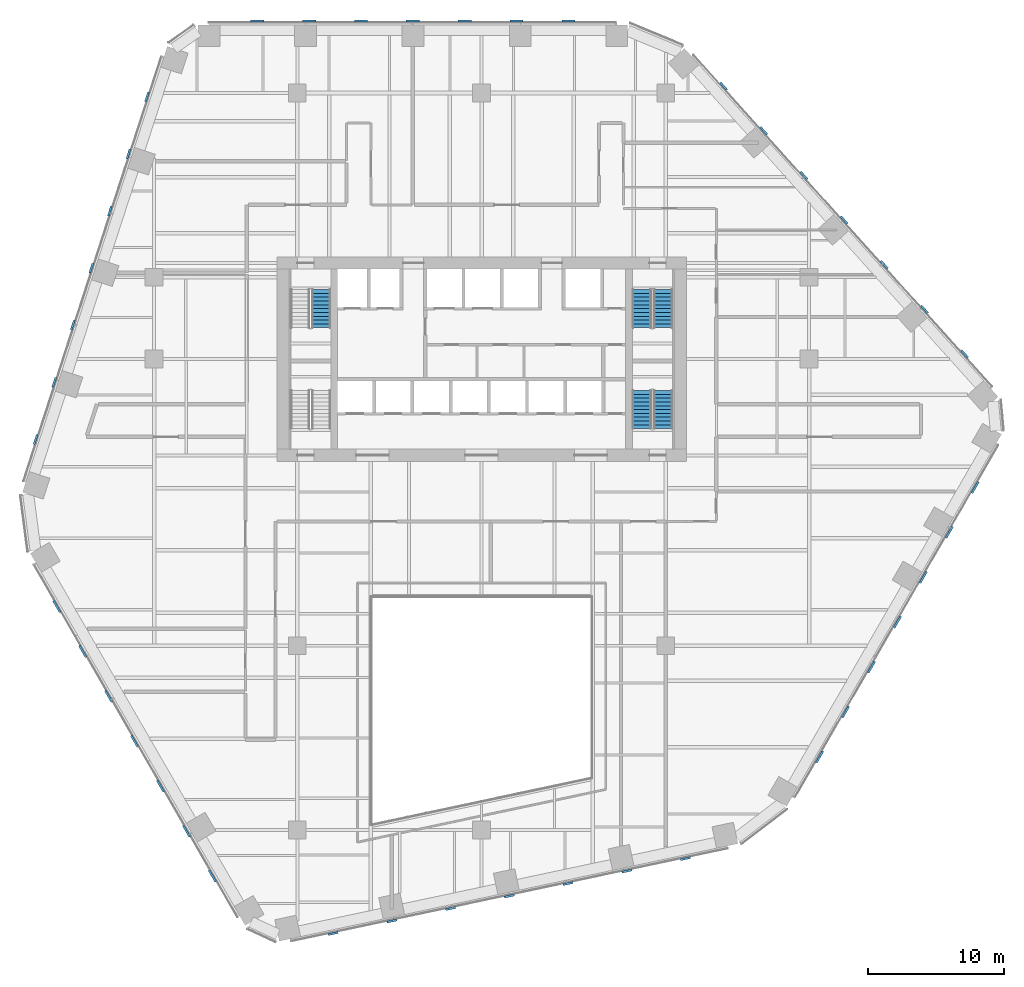
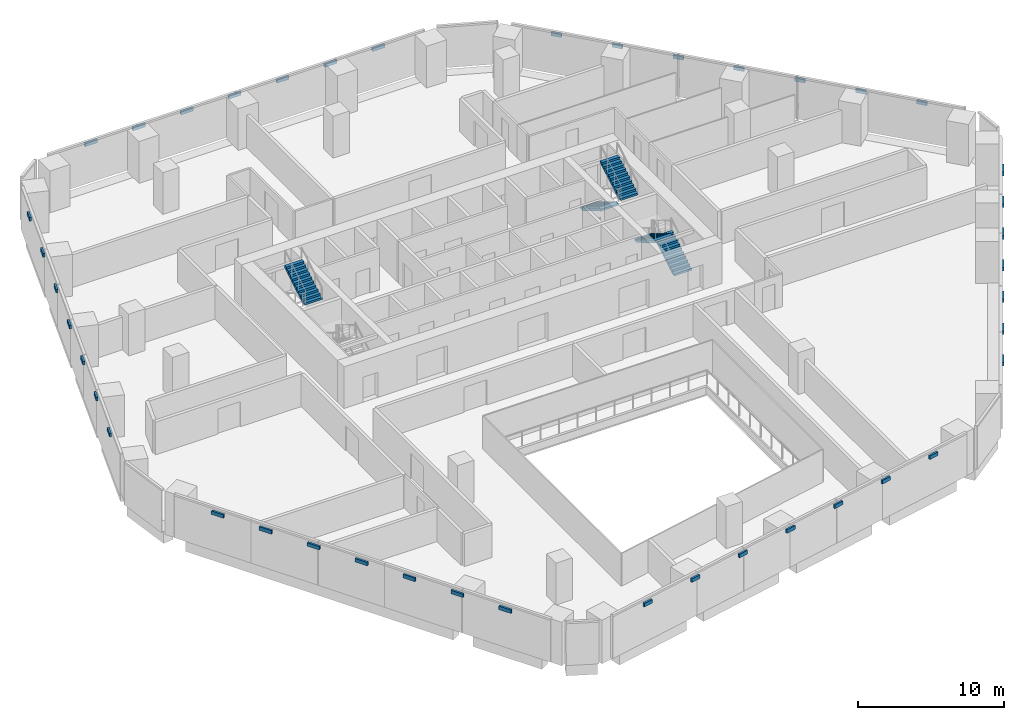
# One storey, part 17 of 21: 42 discrete accessories, 5 stair flights, 3 elements without a shape of their own.
"""IFC4 building model written with IfcOpenShell, lengths in metres."""

from ifc_helpers import new_model, si_unit, direction, frame, origin, origin_2d, place, context, subcontext, project, spatial, polyline, rectangle, outline, extrude, material, type_object, element, aggregate, save


model = new_model("IFC4")

# Units and contexts
model_context = context("Model", 3, precision=1e-05, world=origin(), true_north=direction((0.0, 1.0)))
body_context = subcontext(model_context, "Body", "Model", "MODEL_VIEW")
ifc_project = project(units=[si_unit("LENGTHUNIT", "METRE"), si_unit("AREAUNIT", "SQUARE_METRE"), si_unit("VOLUMEUNIT", "CUBIC_METRE"), si_unit("PLANEANGLEUNIT", "RADIAN"), si_unit("MASSUNIT", "GRAM", prefix="KILO")], contexts=[model_context])

# Site, building, storey
site_placement = place(None, origin())
site = spatial("IfcSite", under=ifc_project, at=site_placement, CompositionType="ELEMENT")
building_placement = place(site_placement, origin())
building = spatial("IfcBuilding", under=site, at=building_placement, Name="Isthmus Gate Tower", CompositionType="ELEMENT")
storey_placement = place(building_placement, frame((0.0, 0.0, 109.85009765625)))
storey = spatial("IfcBuildingStorey", under=building, at=storey_placement, Name="L26", CompositionType="ELEMENT", Elevation=109.85009765625)

# Stair, stair flight
ifc_material_1 = material(Name="Concrete f'c 40 MPa", Category="concrete")
stair_type = type_object("IfcStairType", Name="CORE STAIR 22 RISERS", PredefinedType="HALF_TURN_STAIR", material=ifc_material_1)
stair_1_placement = place(storey_placement, origin())
stair_1 = element("IfcStair", 1, at=stair_1_placement, inside=storey, type_object=stair_type, Name="L26 Exit Stair 1", PredefinedType="HALF_TURN_STAIR")
ifc_material_2 = material(Name="Concrete f'c 40 MPa", Category="concrete")
stair_flight_type = type_object("IfcStairFlightType", Name="STAIR FLIGHT RC 1400", PredefinedType="STRAIGHT", material=ifc_material_2)
stair_flight_1_placement = place(storey_placement, frame((-11.75, 9.800048828125, 1.824951171875), z_axis=(0.0, 0.0, 1.0), x_axis=(0.0, 1.0, 0.0)))
stair_flight_1 = element("IfcStairFlight", 2, at=stair_flight_1_placement, type_object=stair_flight_type, Name="ST1 flight 2", NumberOfRisers=11, NumberOfTreads=10, PredefinedType="STRAIGHT", RiserHeight=0.165909091, TreadLength=0.28, context=body_context, shape_type="SweptSolid", body=[
    extrude(outline(polyline([(0.0, 0.0), (0.0, 0.166015625), (0.280029296875, 0.166015625), (0.280029296875, 0.331787109375), (0.56005859375, 0.331787109375), (0.56005859375, 0.497802734375), (0.840087890625, 0.497802734375), (0.840087890625, 0.66357421875), (1.1201171875, 0.66357421875), (1.1201171875, 0.82958984375), (1.39990234375, 0.82958984375), (1.39990234375, 0.995361328125), (1.679931640625, 0.995361328125), (1.679931640625, 1.161376953125), (1.9599609375, 1.161376953125), (1.9599609375, 1.327392578125), (2.239990234375, 1.327392578125), (2.239990234375, 1.4931640625), (2.52001953125, 1.4931640625), (2.52001953125, 1.6591796875), (2.800048828125, 1.6591796875), (2.800048828125, 1.824951171875), (2.800048828125, 1.48486328125), (0.2939453125, 0.0), (0.0, 0.0)])), frame((0.0, 0.699951171875, 0.0), z_axis=(0.0, -1.0, 0.0), x_axis=(1.0, 0.0, 0.0)), (0.0, 0.0, 1.0), 1.39990234375),
])
aggregate(stair_1, [stair_flight_1])

# Stair, stair flights
stair_2_placement = place(storey_placement, origin())
stair_2 = element("IfcStair", 3, at=stair_2_placement, inside=storey, type_object=stair_type, Name="L26 Exit Stair 2", PredefinedType="HALF_TURN_STAIR")
stair_flight_2_placement = place(storey_placement, frame((11.75, 12.60009765625, 0.0), z_axis=(0.0, 0.0, 1.0), x_axis=(0.0, -1.0, 0.0)))
stair_flight_2 = element("IfcStairFlight", 4, at=stair_flight_2_placement, type_object=stair_flight_type, Name="ST2 flight 1", NumberOfRisers=11, NumberOfTreads=10, PredefinedType="STRAIGHT", RiserHeight=0.165909091, TreadLength=0.28, context=body_context, shape_type="SweptSolid", body=[
    extrude(outline(polyline([(0.0, 0.0), (0.0, 0.166015625), (0.280029296875, 0.166015625), (0.280029296875, 0.331787109375), (0.56005859375, 0.331787109375), (0.56005859375, 0.497802734375), (0.840087890625, 0.497802734375), (0.840087890625, 0.66357421875), (1.1201171875, 0.66357421875), (1.1201171875, 0.82958984375), (1.39990234375, 0.82958984375), (1.39990234375, 0.995361328125), (1.679931640625, 0.995361328125), (1.679931640625, 1.161376953125), (1.9599609375, 1.161376953125), (1.9599609375, 1.327392578125), (2.239990234375, 1.327392578125), (2.239990234375, 1.4931640625), (2.52001953125, 1.4931640625), (2.52001953125, 1.6591796875), (2.800048828125, 1.6591796875), (2.800048828125, 1.824951171875), (2.800048828125, 1.48486328125), (0.2939453125, 0.0), (0.0, 0.0)])), frame((0.0, 0.699951171875, 0.0), z_axis=(0.0, -1.0, 0.0), x_axis=(1.0, 0.0, 0.0)), (0.0, 0.0, 1.0), 1.39990234375),
])
stair_flight_3_placement = place(storey_placement, frame((13.300048828125, 9.800048828125, 1.824951171875), z_axis=(0.0, 0.0, 1.0), x_axis=(0.0, 1.0, 0.0)))
stair_flight_3 = element("IfcStairFlight", 5, at=stair_flight_3_placement, type_object=stair_flight_type, Name="ST2 flight 2", NumberOfRisers=11, NumberOfTreads=10, PredefinedType="STRAIGHT", RiserHeight=0.165909091, TreadLength=0.28, context=body_context, shape_type="SweptSolid", body=[
    extrude(outline(polyline([(0.0, 0.0), (0.0, 0.166015625), (0.280029296875, 0.166015625), (0.280029296875, 0.331787109375), (0.56005859375, 0.331787109375), (0.56005859375, 0.497802734375), (0.840087890625, 0.497802734375), (0.840087890625, 0.66357421875), (1.1201171875, 0.66357421875), (1.1201171875, 0.82958984375), (1.39990234375, 0.82958984375), (1.39990234375, 0.995361328125), (1.679931640625, 0.995361328125), (1.679931640625, 1.161376953125), (1.9599609375, 1.161376953125), (1.9599609375, 1.327392578125), (2.239990234375, 1.327392578125), (2.239990234375, 1.4931640625), (2.52001953125, 1.4931640625), (2.52001953125, 1.6591796875), (2.800048828125, 1.6591796875), (2.800048828125, 1.824951171875), (2.800048828125, 1.48486328125), (0.2939453125, 0.0), (0.0, 0.0)])), frame((0.0, 0.699951171875, 0.0), z_axis=(0.0, -1.0, 0.0), x_axis=(1.0, 0.0, 0.0)), (0.0, 0.0, 1.0), 1.39990234375),
])
aggregate(stair_2, [stair_flight_2, stair_flight_3])

stair_3_placement = place(storey_placement, origin())
stair_3 = element("IfcStair", 6, at=stair_3_placement, inside=storey, type_object=stair_type, Name="L26 Exit Stair 8", PredefinedType="HALF_TURN_STAIR")
stair_flight_4_placement = place(storey_placement, frame((13.300048828125, 2.39990234375, 0.0), z_axis=(0.0, 0.0, 1.0), x_axis=(0.0, 1.0, 0.0)))
stair_flight_4 = element("IfcStairFlight", 7, at=stair_flight_4_placement, type_object=stair_flight_type, Name="ST8 flight 1", NumberOfRisers=11, NumberOfTreads=10, PredefinedType="STRAIGHT", RiserHeight=0.165909091, TreadLength=0.28, context=body_context, shape_type="SweptSolid", body=[
    extrude(outline(polyline([(0.0, 0.0), (0.0, 0.166015625), (0.280029296875, 0.166015625), (0.280029296875, 0.331787109375), (0.56005859375, 0.331787109375), (0.56005859375, 0.497802734375), (0.840087890625, 0.497802734375), (0.840087890625, 0.66357421875), (1.1201171875, 0.66357421875), (1.1201171875, 0.82958984375), (1.39990234375, 0.82958984375), (1.39990234375, 0.995361328125), (1.679931640625, 0.995361328125), (1.679931640625, 1.161376953125), (1.9599609375, 1.161376953125), (1.9599609375, 1.327392578125), (2.239990234375, 1.327392578125), (2.239990234375, 1.4931640625), (2.52001953125, 1.4931640625), (2.52001953125, 1.6591796875), (2.800048828125, 1.6591796875), (2.800048828125, 1.824951171875), (2.800048828125, 1.48486328125), (0.2939453125, 0.0), (0.0, 0.0)])), frame((0.0, 0.699951171875, 0.0), z_axis=(0.0, -1.0, 0.0), x_axis=(1.0, 0.0, 0.0)), (0.0, 0.0, 1.0), 1.39990234375),
])
stair_flight_5_placement = place(storey_placement, frame((11.75, 5.199951171875, 1.824951171875), z_axis=(0.0, 0.0, 1.0), x_axis=(0.0, -1.0, 0.0)))
stair_flight_5 = element("IfcStairFlight", 8, at=stair_flight_5_placement, type_object=stair_flight_type, Name="ST8 flight 2", NumberOfRisers=11, NumberOfTreads=10, PredefinedType="STRAIGHT", RiserHeight=0.165909091, TreadLength=0.28, context=body_context, shape_type="SweptSolid", body=[
    extrude(outline(polyline([(0.0, 0.0), (0.0, 0.166015625), (0.280029296875, 0.166015625), (0.280029296875, 0.331787109375), (0.56005859375, 0.331787109375), (0.56005859375, 0.497802734375), (0.840087890625, 0.497802734375), (0.840087890625, 0.66357421875), (1.1201171875, 0.66357421875), (1.1201171875, 0.82958984375), (1.39990234375, 0.82958984375), (1.39990234375, 0.995361328125), (1.679931640625, 0.995361328125), (1.679931640625, 1.161376953125), (1.9599609375, 1.161376953125), (1.9599609375, 1.327392578125), (2.239990234375, 1.327392578125), (2.239990234375, 1.4931640625), (2.52001953125, 1.4931640625), (2.52001953125, 1.6591796875), (2.800048828125, 1.6591796875), (2.800048828125, 1.824951171875), (2.800048828125, 1.48486328125), (0.2939453125, 0.0), (0.0, 0.0)])), frame((0.0, 0.699951171875, 0.0), z_axis=(0.0, -1.0, 0.0), x_axis=(1.0, 0.0, 0.0)), (0.0, 0.0, 1.0), 1.39990234375),
])
aggregate(stair_3, [stair_flight_4, stair_flight_5])

# Discrete accessories
ifc_material_3 = material(Name="Structural steel ASTM A572 Gr 50, white paint system", Category="steel")
discrete_accessory_type_1 = type_object("IfcDiscreteAccessoryType", Name="FIN BRACKET 748 X 150 X 300", PredefinedType="BRACKET", material=ifc_material_3)
for number, where, z_axis, x_axis, name in (
    (9, (-24.52001953125, 26.716064453125, 3.10009765625), (0.0, 0.0, 1.0), (-0.951056516295, 0.309016994375, 0.0), "FIN BRACKET"),
    (10, (-25.8798828125, 22.53125, 3.10009765625), (0.0, 0.0, 1.0), (-0.951056516295, 0.309016994375, 0.0), "FIN BRACKET"),
    (11, (-27.239501953125, 18.3466796875, 3.10009765625), (0.0, 0.0, 1.0), (-0.951056516295, 0.309016994375, 0.0), "FIN BRACKET"),
    (12, (-28.59912109375, 14.162109375, 3.10009765625), (0.0, 0.0, 1.0), (-0.951056516295, 0.309016994375, 0.0), "FIN BRACKET"),
    (13, (-29.958740234375, 9.977294921875, 3.10009765625), (0.0, 0.0, 1.0), (-0.951056516295, 0.309016994375, 0.0), "FIN BRACKET"),
    (14, (-31.318603515625, 5.792724609375, 3.10009765625), (0.0, 0.0, 1.0), (-0.951056516295, 0.309016994375, 0.0), "FIN BRACKET"),
    (15, (-32.67822265625, 1.608154296875, 3.10009765625), (0.0, 0.0, 1.0), (-0.951056516295, 0.309016994375, 0.0), "FIN BRACKET"),
    (16, (-10.876708984375, -34.593017578125, 3.10009765625), (0.0, 0.0, 1.0), (0.207911690818, -0.978147600734, 0.0), "FIN BRACKET"),
    (17, (-6.57275390625, -33.67822265625, 3.10009765625), (0.0, 0.0, 1.0), (0.207911690818, -0.978147600734, 0.0), "FIN BRACKET"),
    (18, (-2.26904296875, -32.763427734375, 3.10009765625), (0.0, 0.0, 1.0), (0.207911690818, -0.978147600734, 0.0), "FIN BRACKET"),
    (19, (2.034912109375, -31.8486328125, 3.10009765625), (0.0, 0.0, 1.0), (0.207911690818, -0.978147600734, 0.0), "FIN BRACKET"),
    (20, (6.3388671875, -30.933837890625, 3.10009765625), (0.0, 0.0, 1.0), (0.207911690818, -0.978147600734, 0.0), "FIN BRACKET"),
    (21, (10.642578125, -30.01904296875, 3.10009765625), (0.0, 0.0, 1.0), (0.207911690818, -0.978147600734, 0.0), "FIN BRACKET"),
    (22, (14.946533203125, -29.104248046875, 3.10009765625), (0.0, 0.0, 1.0), (0.207911690818, -0.978147600734, 0.0), "FIN BRACKET"),
    (23, (35.396728515625, 7.876953125, 3.10009765625), (0.0, 0.0, 1.0), (0.743144825477, 0.669130606359, 0.0), "FIN BRACKET"),
    (24, (32.45263671875, 11.14697265625, 3.10009765625), (0.0, 0.0, 1.0), (0.743144825477, 0.669130606359, 0.0), "FIN BRACKET"),
    (25, (29.508544921875, 14.416748046875, 3.10009765625), (0.0, 0.0, 1.0), (0.743144825477, 0.669130606359, 0.0), "FIN BRACKET"),
    (26, (26.564208984375, 17.6865234375, 3.10009765625), (0.0, 0.0, 1.0), (0.743144825477, 0.669130606359, 0.0), "FIN BRACKET"),
    (27, (23.6201171875, 20.956298828125, 3.10009765625), (0.0, 0.0, 1.0), (0.743144825477, 0.669130606359, 0.0), "FIN BRACKET"),
    (28, (20.676025390625, 24.226318359375, 3.10009765625), (0.0, 0.0, 1.0), (0.743144825477, 0.669130606359, 0.0), "FIN BRACKET"),
    (29, (17.731689453125, 27.49609375, 3.10009765625), (0.0, 0.0, 1.0), (0.743144825477, 0.669130606359, 0.0), "FIN BRACKET"),
):
    element("IfcDiscreteAccessory", number, at=place(storey_placement, frame(where, z_axis=z_axis, x_axis=x_axis)), inside=storey, type_object=discrete_accessory_type_1, Name=name, PredefinedType="BRACKET", context=body_context, shape_type="SweptSolid", body=[
        extrude(rectangle(XDim=0.14990234375, YDim=0.748046875, at=origin_2d()), origin(), (0.0, 0.0, 1.0), 0.300048828125),
    ])
ifc_material_4 = material(Name="Structural steel ASTM A572 Gr 50, white paint system", Category="steel")
discrete_accessory_type_2 = type_object("IfcDiscreteAccessoryType", Name="FIN BRACKET 970 X 150 X 300", PredefinedType="BRACKET", material=ifc_material_4)
for number, where, z_axis, x_axis, name in (
    (30, (6.36279296875, 32.27490234375, 3.10009765625), (0.0, 0.0, 1.0), (0.0, 1.0, 0.0), "FIN BRACKET"),
    (31, (2.562744140625, 32.27490234375, 3.10009765625), (0.0, 0.0, 1.0), (0.0, 1.0, 0.0), "FIN BRACKET"),
    (32, (-1.2373046875, 32.27490234375, 3.10009765625), (0.0, 0.0, 1.0), (0.0, 1.0, 0.0), "FIN BRACKET"),
    (33, (-5.037109375, 32.27490234375, 3.10009765625), (0.0, 0.0, 1.0), (0.0, 1.0, 0.0), "FIN BRACKET"),
    (34, (-8.837158203125, 32.27490234375, 3.10009765625), (0.0, 0.0, 1.0), (0.0, 1.0, 0.0), "FIN BRACKET"),
    (35, (-12.63720703125, 32.27490234375, 3.10009765625), (0.0, 0.0, 1.0), (0.0, 1.0, 0.0), "FIN BRACKET"),
    (36, (-16.437255859375, 32.27490234375, 3.10009765625), (0.0, 0.0, 1.0), (0.0, 1.0, 0.0), "FIN BRACKET"),
    (37, (-31.13232421875, -10.627197265625, 3.10009765625), (0.0, 0.0, 1.0), (-0.866025403784, -0.5, 0.0), "FIN BRACKET"),
    (38, (-29.232421875, -13.91796875, 3.10009765625), (0.0, 0.0, 1.0), (-0.866025403784, -0.5, 0.0), "FIN BRACKET"),
    (39, (-27.332275390625, -17.208984375, 3.10009765625), (0.0, 0.0, 1.0), (-0.866025403784, -0.5, 0.0), "FIN BRACKET"),
    (40, (-25.432373046875, -20.499755859375, 3.10009765625), (0.0, 0.0, 1.0), (-0.866025403784, -0.5, 0.0), "FIN BRACKET"),
    (41, (-23.532470703125, -23.790771484375, 3.10009765625), (0.0, 0.0, 1.0), (-0.866025403784, -0.5, 0.0), "FIN BRACKET"),
    (42, (-21.63232421875, -27.08154296875, 3.10009765625), (0.0, 0.0, 1.0), (-0.866025403784, -0.5, 0.0), "FIN BRACKET"),
    (43, (-19.732421875, -30.37255859375, 3.10009765625), (0.0, 0.0, 1.0), (-0.866025403784, -0.5, 0.0), "FIN BRACKET"),
    (44, (24.76953125, -21.64794921875, 3.10009765625), (0.0, 0.0, 1.0), (0.866025403784, -0.5, 0.0), "FIN BRACKET"),
    (45, (26.669677734375, -18.35693359375, 3.10009765625), (0.0, 0.0, 1.0), (0.866025403784, -0.5, 0.0), "FIN BRACKET"),
    (46, (28.569580078125, -15.066162109375, 3.10009765625), (0.0, 0.0, 1.0), (0.866025403784, -0.5, 0.0), "FIN BRACKET"),
    (47, (30.469482421875, -11.775146484375, 3.10009765625), (0.0, 0.0, 1.0), (0.866025403784, -0.5, 0.0), "FIN BRACKET"),
    (48, (32.36962890625, -8.484375, 3.10009765625), (0.0, 0.0, 1.0), (0.866025403784, -0.5, 0.0), "FIN BRACKET"),
    (49, (34.26953125, -5.193359375, 3.10009765625), (0.0, 0.0, 1.0), (0.866025403784, -0.5, 0.0), "FIN BRACKET"),
    (50, (36.169677734375, -1.902587890625, 3.10009765625), (0.0, 0.0, 1.0), (0.866025403784, -0.5, 0.0), "FIN BRACKET"),
):
    element("IfcDiscreteAccessory", number, at=place(storey_placement, frame(where, z_axis=z_axis, x_axis=x_axis)), inside=storey, type_object=discrete_accessory_type_2, Name=name, PredefinedType="BRACKET", context=body_context, shape_type="SweptSolid", body=[
        extrude(rectangle(XDim=0.14990234375, YDim=0.969970703125, at=origin_2d()), origin(), (0.0, 0.0, 1.0), 0.300048828125),
    ])

save(model, "model.ifc")
